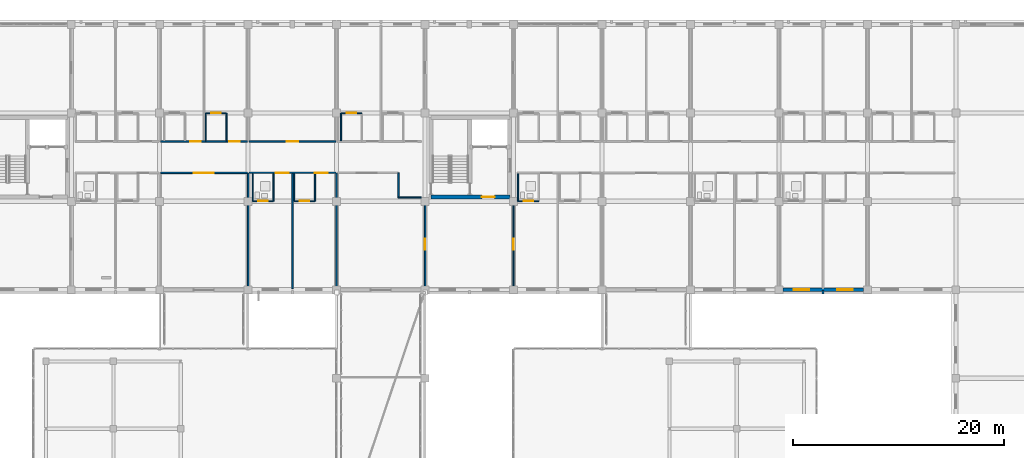
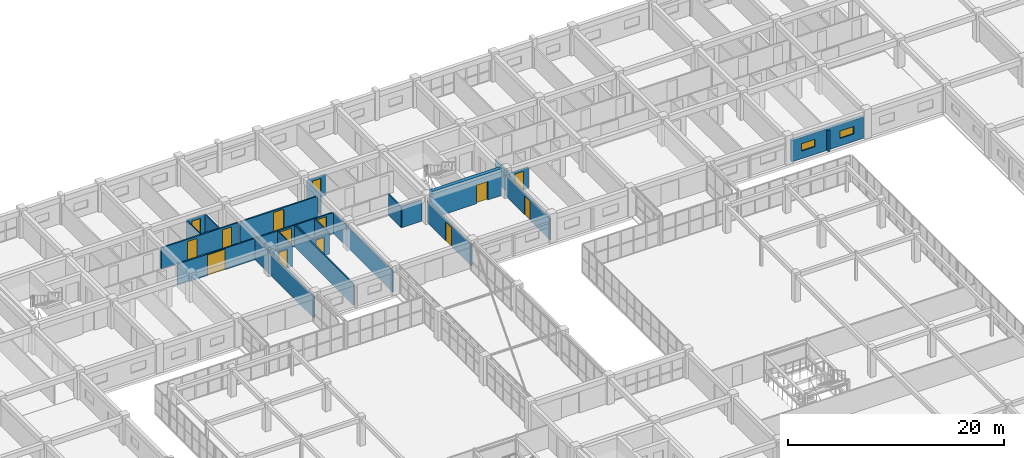
# One storey, part 177 of 200: 27 walls, 14 doors, 2 windows, 16 openings.
"""IFC4 building model written with IfcOpenShell, lengths in metres."""

from ifc_helpers import new_model, si_unit, direction, frame, frame_2d, origin, place, context, subcontext, project, spatial, rectangle, extrude, material, layer, layer_set, type_object, element, fill, save


model = new_model("IFC4")

# Units and contexts
model_context = context("Model", 3, precision=1e-05, world=origin(), true_north=direction((0.0, 1.0)))
body_context = subcontext(model_context, "Body", "Model", "MODEL_VIEW")
ifc_project = project(units=[si_unit("LENGTHUNIT", "METRE"), si_unit("AREAUNIT", "SQUARE_METRE"), si_unit("VOLUMEUNIT", "CUBIC_METRE"), si_unit("PLANEANGLEUNIT", "RADIAN"), si_unit("MASSUNIT", "GRAM", prefix="KILO")], contexts=[model_context])

# Site, building, storey
site_placement = place(None, origin())
site = spatial("IfcSite", under=ifc_project, at=site_placement, CompositionType="ELEMENT")
building_placement = place(site_placement, origin())
building = spatial("IfcBuilding", under=site, at=building_placement, Name="Trelvath General Hospital", CompositionType="ELEMENT")
storey_placement = place(building_placement, frame((0.0, 0.0, 4.800048828125)))
storey = spatial("IfcBuildingStorey", under=building, at=storey_placement, Name="L01", CompositionType="ELEMENT", Elevation=4.800048828125)

# Wall
ifc_material_1 = material(Name="Precast concrete C40/50", Category="concrete")
ifc_layer_1 = layer(ifc_material_1, 0.199951171875)
ifc_layer_set_1 = layer_set([ifc_layer_1], Name="Precast concrete C40/50")
wall_type_1 = type_object("IfcWallType", Name="BriseSoleilRib 200", PredefinedType="ELEMENTEDWALL", material=ifc_layer_set_1)
wall_1_placement = place(storey_placement, frame((121.800048828125, 92.324951171875, 0.0), z_axis=(0.0, 0.0, 1.0), x_axis=(0.0, -1.0, 0.0)))
element("IfcWall", 1, at=wall_1_placement, inside=storey, type_object=wall_type_1, Name="Precast Concrete Brise-Soleil Rib Fin L01-125", PredefinedType="ELEMENTEDWALL", context=body_context, shape_type="SweptSolid", body=[
    extrude(rectangle(XDim=0.33984375, YDim=0.199951171875, at=frame_2d((0.169921875, 0.0))), origin(), (0.0, 0.0, 1.0), 2.39990234375),
])

# Wall, opening, door
ifc_material_2 = material(Name="Gypsum acoustic steel-stud partition", Category="steel")
ifc_layer_2 = layer(ifc_material_2, 0.14990234375)
ifc_layer_set_2 = layer_set([ifc_layer_2], Name="Gypsum acoustic steel-stud partition")
wall_type_2 = type_object("IfcWallType", Name="ClinicalPartition 150", PredefinedType="PARTITIONING", material=ifc_layer_set_2)
wall_2_placement = place(storey_placement, frame((58.8798828125, 103.5, 0.0), z_axis=(0.0, 0.0, 1.0), x_axis=(1.0, 0.0, 0.0)))
wall_2 = element("IfcWall", 2, at=wall_2_placement, inside=storey, type_object=wall_type_2, Name="Corridor Partition L01-558", PredefinedType="PARTITIONING", context=body_context, shape_type="SweptSolid", body=[
    extrude(rectangle(XDim=8.240234375, YDim=0.14990234375, at=frame_2d((4.1201171875, 0.0))), origin(), (0.0, 0.0, 1.0), 2.39990234375),
])
opening_1_placement = place(wall_2_placement, frame((3.169921875, 0.0, 0.0)))
opening_1 = element("IfcOpeningElement", 3, at=opening_1_placement, cuts=wall_2, Name="Opening D-1-0562", PredefinedType="OPENING", context=body_context, shape_type="SweptSolid", body=[
    extrude(rectangle(XDim=1.89990234375, YDim=2.300048828125, at=frame_2d((0.949951171875, 1.14990234375))), frame((0.0, 0.0849609375, 0.0), z_axis=(0.0, -1.0, 0.0), x_axis=(1.0, 0.0, 0.0)), (0.0, 0.0, 1.0), 0.169921875),
])
ifc_material_3 = material(Name="Thermally broken glazed aluminium pair", Category="aluminium")
door_type_1 = type_object("IfcDoorType", Name="Door BridgeEntry 1900x2400", OperationType="DOUBLE_SWING_LEFT", PredefinedType="DOOR", material=ifc_material_3)
door_1_placement = place(opening_1_placement, origin())
door_1 = element("IfcDoor", 4, at=door_1_placement, inside=storey, type_object=door_type_1, Name="Bridge Lounge Corridor Door L01-562", OperationType="DOUBLE_SWING_LEFT", OverallHeight=2.300048828125, OverallWidth=1.89990234375, PredefinedType="DOOR", context=body_context, shape_type="SweptSolid", body=[
    extrude(rectangle(XDim=1.89990234375, YDim=2.300048828125, at=frame_2d((0.949951171875, 1.14990234375))), frame((0.0, 0.02490234375, 0.0), z_axis=(0.0, -1.0, 0.0), x_axis=(1.0, 0.0, 0.0)), (0.0, 0.0, 1.0), 0.050048828125),
])
fill(opening_1, door_1)

# Wall, openings, doors
wall_3_placement = place(storey_placement, frame((67.1201171875, 106.5, 0.0), z_axis=(0.0, 0.0, 1.0), x_axis=(-1.0, 0.0, 0.0)))
wall_3 = element("IfcWall", 5, at=wall_3_placement, inside=storey, type_object=wall_type_2, Name="Corridor Partition N L01-559", PredefinedType="PARTITIONING", context=body_context, shape_type="SweptSolid", body=[
    extrude(rectangle(XDim=8.240234375, YDim=0.14990234375, at=frame_2d((4.1201171875, 0.0))), origin(), (0.0, 0.0, 1.0), 2.39990234375),
])
opening_2_placement = place(wall_3_placement, frame((0.72998046875, 0.0, 0.0)))
opening_2 = element("IfcOpeningElement", 6, at=opening_2_placement, cuts=wall_3, Name="Opening D-1-0563", PredefinedType="OPENING", context=body_context, shape_type="SweptSolid", body=[
    extrude(rectangle(XDim=1.0, YDim=2.14990234375, at=frame_2d((0.5, 1.074951171875))), frame((0.0, 0.0849609375, 0.0), z_axis=(0.0, -1.0, 0.0), x_axis=(1.0, 0.0, 0.0)), (0.0, 0.0, 1.0), 0.169921875),
])
opening_3_placement = place(wall_3_placement, frame((4.429931640625, 0.0, 0.0)))
opening_3 = element("IfcOpeningElement", 7, at=opening_3_placement, cuts=wall_3, Name="Opening D-1-0564", PredefinedType="OPENING", context=body_context, shape_type="SweptSolid", body=[
    extrude(rectangle(XDim=1.0, YDim=2.14990234375, at=frame_2d((0.5, 1.074951171875))), frame((0.0, 0.0849609375, 0.0), z_axis=(0.0, -1.0, 0.0), x_axis=(1.0, 0.0, 0.0)), (0.0, 0.0, 1.0), 0.169921875),
])
ifc_material_4 = material(Name="Acoustic hospital timber leaf", Category="wood")
door_type_2 = type_object("IfcDoorType", Name="Door Consult 1000x2150", OperationType="NOTDEFINED", PredefinedType="DOOR", material=ifc_material_4)
door_2_placement = place(opening_2_placement, origin())
door_2 = element("IfcDoor", 8, at=door_2_placement, inside=storey, type_object=door_type_2, Name="Patient Room Door N L01-563", OperationType="SINGLE_SWING_LEFT", OverallHeight=2.14990234375, OverallWidth=1.0, PredefinedType="DOOR", context=body_context, shape_type="SweptSolid", body=[
    extrude(rectangle(XDim=1.0, YDim=2.14990234375, at=frame_2d((0.5, 1.074951171875))), frame((0.0, 0.02490234375, 0.0), z_axis=(0.0, -1.0, 0.0), x_axis=(1.0, 0.0, 0.0)), (0.0, 0.0, 1.0), 0.050048828125),
])
fill(opening_2, door_2)
door_3_placement = place(opening_3_placement, origin())
door_3 = element("IfcDoor", 9, at=door_3_placement, inside=storey, type_object=door_type_2, Name="Patient Room Door N L01-564", OperationType="SINGLE_SWING_LEFT", OverallHeight=2.14990234375, OverallWidth=1.0, PredefinedType="DOOR", context=body_context, shape_type="SweptSolid", body=[
    extrude(rectangle(XDim=1.0, YDim=2.14990234375, at=frame_2d((0.5, 1.074951171875))), frame((0.0, 0.02490234375, 0.0), z_axis=(0.0, -1.0, 0.0), x_axis=(1.0, 0.0, 0.0)), (0.0, 0.0, 1.0), 0.050048828125),
])
fill(opening_3, door_3)

wall_4_placement = place(storey_placement, frame((67.280029296875, 103.5, 0.0), z_axis=(0.0, 0.0, 1.0), x_axis=(1.0, 0.0, 0.0)))
wall_4 = element("IfcWall", 10, at=wall_4_placement, inside=storey, type_object=wall_type_2, Name="Corridor Partition L01-569", PredefinedType="PARTITIONING", context=body_context, shape_type="SweptSolid", body=[
    extrude(rectangle(XDim=8.239990234375, YDim=0.14990234375, at=frame_2d((4.1201171875, 0.0))), origin(), (0.0, 0.0, 1.0), 2.39990234375),
])
opening_4_placement = place(wall_4_placement, frame((2.530029296875, 0.0, 0.0)))
opening_4 = element("IfcOpeningElement", 11, at=opening_4_placement, cuts=wall_4, Name="Opening D-1-0567", PredefinedType="OPENING", context=body_context, shape_type="SweptSolid", body=[
    extrude(rectangle(XDim=1.25, YDim=2.199951171875, at=frame_2d((0.625, 1.10009765625))), frame((0.0, 0.0849609375, 0.0), z_axis=(0.0, -1.0, 0.0), x_axis=(1.0, 0.0, 0.0)), (0.0, 0.0, 1.0), 0.169921875),
])
opening_5_placement = place(wall_4_placement, frame((6.22998046875, 0.0, 0.0)))
opening_5 = element("IfcOpeningElement", 12, at=opening_5_placement, cuts=wall_4, Name="Opening D-1-0568", PredefinedType="OPENING", context=body_context, shape_type="SweptSolid", body=[
    extrude(rectangle(XDim=1.25, YDim=2.199951171875, at=frame_2d((0.625, 1.10009765625))), frame((0.0, 0.0849609375, 0.0), z_axis=(0.0, -1.0, 0.0), x_axis=(1.0, 0.0, 0.0)), (0.0, 0.0, 1.0), 0.169921875),
])
ifc_material_5 = material(Name="Acoustic hospital timber leaf", Category="wood")
door_type_3 = type_object("IfcDoorType", Name="Door Treatment 1250x2200", OperationType="NOTDEFINED", PredefinedType="DOOR", material=ifc_material_5)
door_4_placement = place(opening_4_placement, origin())
door_4 = element("IfcDoor", 13, at=door_4_placement, inside=storey, type_object=door_type_3, Name="Patient Room Door L01-567", OperationType="SINGLE_SWING_RIGHT", OverallHeight=2.199951171875, OverallWidth=1.25, PredefinedType="DOOR", context=body_context, shape_type="SweptSolid", body=[
    extrude(rectangle(XDim=1.25, YDim=2.199951171875, at=frame_2d((0.625, 1.10009765625))), frame((0.0, 0.02490234375, 0.0), z_axis=(0.0, -1.0, 0.0), x_axis=(1.0, 0.0, 0.0)), (0.0, 0.0, 1.0), 0.050048828125),
])
fill(opening_4, door_4)
door_5_placement = place(opening_5_placement, origin())
door_5 = element("IfcDoor", 14, at=door_5_placement, inside=storey, type_object=door_type_3, Name="Patient Room Door L01-568", OperationType="SINGLE_SWING_LEFT", OverallHeight=2.199951171875, OverallWidth=1.25, PredefinedType="DOOR", context=body_context, shape_type="SweptSolid", body=[
    extrude(rectangle(XDim=1.25, YDim=2.199951171875, at=frame_2d((0.625, 1.10009765625))), frame((0.0, 0.02490234375, 0.0), z_axis=(0.0, -1.0, 0.0), x_axis=(1.0, 0.0, 0.0)), (0.0, 0.0, 1.0), 0.050048828125),
])
fill(opening_5, door_5)

# Wall, opening, door
wall_5_placement = place(storey_placement, frame((75.52001953125, 106.5, 0.0), z_axis=(0.0, 0.0, 1.0), x_axis=(-1.0, 0.0, 0.0)))
wall_5 = element("IfcWall", 15, at=wall_5_placement, inside=storey, type_object=wall_type_2, Name="Corridor Partition N L01-577", PredefinedType="PARTITIONING", context=body_context, shape_type="SweptSolid", body=[
    extrude(rectangle(XDim=8.239990234375, YDim=0.14990234375, at=frame_2d((4.1201171875, 0.0))), origin(), (0.0, 0.0, 1.0), 2.39990234375),
])
opening_6_placement = place(wall_5_placement, frame((3.570068359375, 0.0, 0.0)))
opening_6 = element("IfcOpeningElement", 16, at=opening_6_placement, cuts=wall_5, Name="Opening D-1-0571", PredefinedType="OPENING", context=body_context, shape_type="SweptSolid", body=[
    extrude(rectangle(XDim=1.10009765625, YDim=2.199951171875, at=frame_2d((0.550048828125, 1.10009765625))), frame((0.0, 0.0849609375, 0.0), z_axis=(0.0, -1.0, 0.0), x_axis=(1.0, 0.0, 0.0)), (0.0, 0.0, 1.0), 0.169921875),
])
ifc_material_6 = material(Name="Phenolic laboratory door")
door_type_4 = type_object("IfcDoorType", Name="Door Lab 1100x2200", OperationType="NOTDEFINED", PredefinedType="DOOR", material=ifc_material_6)
door_6_placement = place(opening_6_placement, origin())
door_6 = element("IfcDoor", 17, at=door_6_placement, inside=storey, type_object=door_type_4, Name="Clinical Room Door L01-571", OperationType="SINGLE_SWING_RIGHT", OverallHeight=2.199951171875, OverallWidth=1.10009765625, PredefinedType="DOOR", context=body_context, shape_type="SweptSolid", body=[
    extrude(rectangle(XDim=1.10009765625, YDim=2.199951171875, at=frame_2d((0.550048828125, 1.10009765625))), frame((0.0, 0.02490234375, 0.0), z_axis=(0.0, -1.0, 0.0), x_axis=(1.0, 0.0, 0.0)), (0.0, 0.0, 1.0), 0.050048828125),
])
fill(opening_6, door_6)

ifc_material_7 = material(Name="Concrete C40/50", Category="concrete")
ifc_layer_3 = layer(ifc_material_7, 0.39990234375)
ifc_layer_set_3 = layer_set([ifc_layer_3], Name="Concrete C40/50")
wall_type_3 = type_object("IfcWallType", Name="CoreShearWall 400", PredefinedType="SHEAR", material=ifc_layer_set_3)
wall_6_placement = place(storey_placement, frame((84.550048828125, 101.199951171875, 0.0), z_axis=(0.0, 0.0, 1.0), x_axis=(1.0, 0.0, 0.0)))
wall_6 = element("IfcWall", 18, at=wall_6_placement, inside=storey, type_object=wall_type_3, Name="Core Shear Wall C2 S L01", PredefinedType="SHEAR", context=body_context, shape_type="SweptSolid", body=[
    extrude(rectangle(XDim=7.5, YDim=0.39990234375, at=frame_2d((3.75, 0.0))), origin(), (0.0, 0.0, 1.0), 3.02001953125),
])
opening_7_placement = place(wall_6_placement, frame((4.85009765625, 0.0, 0.0)))
opening_7 = element("IfcOpeningElement", 19, at=opening_7_placement, cuts=wall_6, Name="Opening FD-LS21", PredefinedType="OPENING", context=body_context, shape_type="SweptSolid", body=[
    extrude(rectangle(XDim=1.199951171875, YDim=2.10009765625, at=frame_2d((0.60009765625, 1.050048828125))), frame((0.0, 0.2099609375, 0.0), z_axis=(0.0, -1.0, 0.0), x_axis=(1.0, 0.0, 0.0)), (0.0, 0.0, 1.0), 0.419921875),
])
ifc_material_8 = material(Name="Fire-rated steel door", Category="steel")
door_type_5 = type_object("IfcDoorType", Name="Door FireLobby 1200x2100", OperationType="NOTDEFINED", PredefinedType="DOOR", material=ifc_material_8)
door_7_placement = place(opening_7_placement, origin())
door_7 = element("IfcDoor", 20, at=door_7_placement, inside=storey, type_object=door_type_5, Name="Fire Lobby South Door C2 L01", OperationType="SINGLE_SWING_RIGHT", OverallHeight=2.10009765625, OverallWidth=1.199951171875, PredefinedType="DOOR", context=body_context, shape_type="SweptSolid", body=[
    extrude(rectangle(XDim=1.199951171875, YDim=2.10009765625, at=frame_2d((0.60009765625, 1.050048828125))), frame((0.0, 0.02490234375, 0.0), z_axis=(0.0, -1.0, 0.0), x_axis=(1.0, 0.0, 0.0)), (0.0, 0.0, 1.0), 0.050048828125),
])
fill(opening_7, door_7)

# Walls
ifc_material_9 = material(Name="Moisture-resistant tile partition")
ifc_layer_4 = layer(ifc_material_9, 0.110107421875)
ifc_layer_set_4 = layer_set([ifc_layer_4], Name="Moisture-resistant tile partition")
wall_type_4 = type_object("IfcWallType", Name="EnSuiteWetWall 110", PredefinedType="PARTITIONING", material=ifc_layer_set_4)
for number, where, z_axis, x_axis, name in (
    (21, (63.159912109375, 106.570068359375, 0.0), (0.0, 0.0, 1.0), (0.0, 1.0, 0.0), "En-Suite W Wall N L01-564"),
    (22, (65.139892578125, 106.570068359375, 0.0), (0.0, 0.0, 1.0), (0.0, 1.0, 0.0), "En-Suite E Wall N L01-565"),
):
    element("IfcWall", number, at=place(storey_placement, frame(where, z_axis=z_axis, x_axis=x_axis)), inside=storey, type_object=wall_type_4, Name=name, PredefinedType="PARTITIONING", context=body_context, shape_type="SweptSolid", body=[
        extrude(rectangle(XDim=2.60986328125, YDim=0.110107421875, at=frame_2d((1.304931640625, 0.0))), origin(), (0.0, 0.0, 1.0), 2.39990234375),
    ])

# Wall, opening, door
wall_7_placement = place(storey_placement, frame((63.159912109375, 109.179931640625, 0.0), z_axis=(0.0, 0.0, 1.0), x_axis=(1.0, 0.0, 0.0)))
wall_7 = element("IfcWall", 23, at=wall_7_placement, inside=storey, type_object=wall_type_4, Name="En-Suite Bathroom N Partition L01-566", PredefinedType="PARTITIONING", context=body_context, shape_type="SweptSolid", body=[
    extrude(rectangle(XDim=1.97998046875, YDim=0.110107421875, at=frame_2d((0.989990234375, 0.0))), origin(), (0.0, 0.0, 1.0), 2.39990234375),
])
opening_8_placement = place(wall_7_placement, frame((0.5400390625, 0.0, 0.0)))
opening_8 = element("IfcOpeningElement", 24, at=opening_8_placement, cuts=wall_7, Name="Opening D-1-0566", PredefinedType="OPENING", context=body_context, shape_type="SweptSolid", body=[
    extrude(rectangle(XDim=0.89990234375, YDim=2.10009765625, at=frame_2d((0.449951171875, 1.050048828125))), frame((0.0, 0.06494140625, 0.0), z_axis=(0.0, -1.0, 0.0), x_axis=(1.0, 0.0, 0.0)), (0.0, 0.0, 1.0), 0.130126953125),
])
ifc_material_10 = material(Name="Moisture-sealed timber leaf", Category="wood")
door_type_6 = type_object("IfcDoorType", Name="Door EnSuite 900x2100", OperationType="NOTDEFINED", PredefinedType="DOOR", material=ifc_material_10)
door_8_placement = place(opening_8_placement, origin())
door_8 = element("IfcDoor", 25, at=door_8_placement, inside=storey, type_object=door_type_6, Name="En-Suite Bathroom N Door L01-566", OperationType="SINGLE_SWING_LEFT", OverallHeight=2.10009765625, OverallWidth=0.89990234375, PredefinedType="DOOR", context=body_context, shape_type="SweptSolid", body=[
    extrude(rectangle(XDim=0.89990234375, YDim=2.10009765625, at=frame_2d((0.449951171875, 1.050048828125))), frame((0.0, 0.02490234375, 0.0), z_axis=(0.0, -1.0, 0.0), x_axis=(1.0, 0.0, 0.0)), (0.0, 0.0, 1.0), 0.050048828125),
])
fill(opening_8, door_8)

# Walls
for number, where, z_axis, x_axis, name in (
    (26, (67.6201171875, 100.820068359375, 0.0), (0.0, 0.0, 1.0), (0.0, 1.0, 0.0), "En-Suite W Wall L01-571"),
    (27, (69.60009765625, 100.820068359375, 0.0), (0.0, 0.0, 1.0), (0.0, 1.0, 0.0), "En-Suite E Wall L01-572"),
):
    element("IfcWall", number, at=place(storey_placement, frame(where, z_axis=z_axis, x_axis=x_axis)), inside=storey, type_object=wall_type_4, Name=name, PredefinedType="PARTITIONING", context=body_context, shape_type="SweptSolid", body=[
        extrude(rectangle(XDim=2.60986328125, YDim=0.110107421875, at=frame_2d((1.304931640625, 0.0))), origin(), (0.0, 0.0, 1.0), 2.39990234375),
    ])

# Wall, opening, door
wall_8_placement = place(storey_placement, frame((67.6201171875, 100.820068359375, 0.0), z_axis=(0.0, 0.0, 1.0), x_axis=(1.0, 0.0, 0.0)))
wall_8 = element("IfcWall", 28, at=wall_8_placement, inside=storey, type_object=wall_type_4, Name="En-Suite Bathroom Partition L01-573", PredefinedType="PARTITIONING", context=body_context, shape_type="SweptSolid", body=[
    extrude(rectangle(XDim=1.97998046875, YDim=0.110107421875, at=frame_2d((0.989990234375, 0.0))), origin(), (0.0, 0.0, 1.0), 2.39990234375),
])
opening_9_placement = place(wall_8_placement, frame((0.5400390625, 0.0, 0.0)))
opening_9 = element("IfcOpeningElement", 29, at=opening_9_placement, cuts=wall_8, Name="Opening D-1-0569", PredefinedType="OPENING", context=body_context, shape_type="SweptSolid", body=[
    extrude(rectangle(XDim=0.89990234375, YDim=2.10009765625, at=frame_2d((0.449951171875, 1.050048828125))), frame((0.0, 0.06494140625, 0.0), z_axis=(0.0, -1.0, 0.0), x_axis=(1.0, 0.0, 0.0)), (0.0, 0.0, 1.0), 0.130126953125),
])
door_9_placement = place(opening_9_placement, origin())
door_9 = element("IfcDoor", 30, at=door_9_placement, inside=storey, type_object=door_type_6, Name="En-Suite Bathroom Door L01-569", OperationType="SINGLE_SWING_RIGHT", OverallHeight=2.10009765625, OverallWidth=0.89990234375, PredefinedType="DOOR", context=body_context, shape_type="SweptSolid", body=[
    extrude(rectangle(XDim=0.89990234375, YDim=2.10009765625, at=frame_2d((0.449951171875, 1.050048828125))), frame((0.0, 0.02490234375, 0.0), z_axis=(0.0, -1.0, 0.0), x_axis=(1.0, 0.0, 0.0)), (0.0, 0.0, 1.0), 0.050048828125),
])
fill(opening_9, door_9)

# Walls
for number, where, z_axis, x_axis, name in (
    (31, (71.56005859375, 100.820068359375, 0.0), (0.0, 0.0, 1.0), (0.0, 1.0, 0.0), "En-Suite W Wall L01-574"),
    (32, (73.5400390625, 100.820068359375, 0.0), (0.0, 0.0, 1.0), (0.0, 1.0, 0.0), "En-Suite E Wall L01-575"),
):
    element("IfcWall", number, at=place(storey_placement, frame(where, z_axis=z_axis, x_axis=x_axis)), inside=storey, type_object=wall_type_4, Name=name, PredefinedType="PARTITIONING", context=body_context, shape_type="SweptSolid", body=[
        extrude(rectangle(XDim=2.60986328125, YDim=0.110107421875, at=frame_2d((1.304931640625, 0.0))), origin(), (0.0, 0.0, 1.0), 2.39990234375),
    ])

# Wall, opening, door
wall_9_placement = place(storey_placement, frame((71.56005859375, 100.820068359375, 0.0), z_axis=(0.0, 0.0, 1.0), x_axis=(1.0, 0.0, 0.0)))
wall_9 = element("IfcWall", 33, at=wall_9_placement, inside=storey, type_object=wall_type_4, Name="En-Suite Bathroom Partition L01-576", PredefinedType="PARTITIONING", context=body_context, shape_type="SweptSolid", body=[
    extrude(rectangle(XDim=1.97998046875, YDim=0.110107421875, at=frame_2d((0.989990234375, 0.0))), origin(), (0.0, 0.0, 1.0), 2.39990234375),
])
opening_10_placement = place(wall_9_placement, frame((0.5400390625, 0.0, 0.0)))
opening_10 = element("IfcOpeningElement", 34, at=opening_10_placement, cuts=wall_9, Name="Opening D-1-0570", PredefinedType="OPENING", context=body_context, shape_type="SweptSolid", body=[
    extrude(rectangle(XDim=0.89990234375, YDim=2.10009765625, at=frame_2d((0.449951171875, 1.050048828125))), frame((0.0, 0.06494140625, 0.0), z_axis=(0.0, -1.0, 0.0), x_axis=(1.0, 0.0, 0.0)), (0.0, 0.0, 1.0), 0.130126953125),
])
door_10_placement = place(opening_10_placement, origin())
door_10 = element("IfcDoor", 35, at=door_10_placement, inside=storey, type_object=door_type_6, Name="En-Suite Bathroom Door L01-570", OperationType="SINGLE_SWING_LEFT", OverallHeight=2.10009765625, OverallWidth=0.89990234375, PredefinedType="DOOR", context=body_context, shape_type="SweptSolid", body=[
    extrude(rectangle(XDim=0.89990234375, YDim=2.10009765625, at=frame_2d((0.449951171875, 1.050048828125))), frame((0.0, 0.02490234375, 0.0), z_axis=(0.0, -1.0, 0.0), x_axis=(1.0, 0.0, 0.0)), (0.0, 0.0, 1.0), 0.050048828125),
])
fill(opening_10, door_10)

# Wall
wall_10_placement = place(storey_placement, frame((76.02001953125, 106.570068359375, 0.0), z_axis=(0.0, 0.0, 1.0), x_axis=(0.0, 1.0, 0.0)))
element("IfcWall", 36, at=wall_10_placement, inside=storey, type_object=wall_type_4, Name="En-Suite W Wall N L01-585", PredefinedType="PARTITIONING", context=body_context, shape_type="SweptSolid", body=[
    extrude(rectangle(XDim=2.60986328125, YDim=0.110107421875, at=frame_2d((1.304931640625, 0.0))), origin(), (0.0, 0.0, 1.0), 2.39990234375),
])

# Wall, opening, door
wall_11_placement = place(storey_placement, frame((76.02001953125, 109.179931640625, 0.0), z_axis=(0.0, 0.0, 1.0), x_axis=(1.0, 0.0, 0.0)))
wall_11 = element("IfcWall", 37, at=wall_11_placement, inside=storey, type_object=wall_type_4, Name="En-Suite Bathroom N Partition L01-587", PredefinedType="PARTITIONING", context=body_context, shape_type="SweptSolid", body=[
    extrude(rectangle(XDim=1.97998046875, YDim=0.110107421875, at=frame_2d((0.989990234375, 0.0))), origin(), (0.0, 0.0, 1.0), 2.39990234375),
])
opening_11_placement = place(wall_11_placement, frame((0.5400390625, 0.0, 0.0)))
opening_11 = element("IfcOpeningElement", 38, at=opening_11_placement, cuts=wall_11, Name="Opening D-1-0575", PredefinedType="OPENING", context=body_context, shape_type="SweptSolid", body=[
    extrude(rectangle(XDim=0.89990234375, YDim=2.10009765625, at=frame_2d((0.449951171875, 1.050048828125))), frame((0.0, 0.06494140625, 0.0), z_axis=(0.0, -1.0, 0.0), x_axis=(1.0, 0.0, 0.0)), (0.0, 0.0, 1.0), 0.130126953125),
])
door_11_placement = place(opening_11_placement, origin())
door_11 = element("IfcDoor", 39, at=door_11_placement, inside=storey, type_object=door_type_6, Name="En-Suite Bathroom N Door L01-575", OperationType="SINGLE_SWING_RIGHT", OverallHeight=2.10009765625, OverallWidth=0.89990234375, PredefinedType="DOOR", context=body_context, shape_type="SweptSolid", body=[
    extrude(rectangle(XDim=0.89990234375, YDim=2.10009765625, at=frame_2d((0.449951171875, 1.050048828125))), frame((0.0, 0.02490234375, 0.0), z_axis=(0.0, -1.0, 0.0), x_axis=(1.0, 0.0, 0.0)), (0.0, 0.0, 1.0), 0.050048828125),
])
fill(opening_11, door_11)

# Wall
wall_12_placement = place(storey_placement, frame((92.820068359375, 100.820068359375, 0.0), z_axis=(0.0, 0.0, 1.0), x_axis=(0.0, 1.0, 0.0)))
element("IfcWall", 40, at=wall_12_placement, inside=storey, type_object=wall_type_4, Name="En-Suite W Wall L01-597", PredefinedType="PARTITIONING", context=body_context, shape_type="SweptSolid", body=[
    extrude(rectangle(XDim=2.60986328125, YDim=0.110107421875, at=frame_2d((1.304931640625, 0.0))), origin(), (0.0, 0.0, 1.0), 2.39990234375),
])

# Wall, opening, door
wall_13_placement = place(storey_placement, frame((92.820068359375, 100.820068359375, 0.0), z_axis=(0.0, 0.0, 1.0), x_axis=(1.0, 0.0, 0.0)))
wall_13 = element("IfcWall", 41, at=wall_13_placement, inside=storey, type_object=wall_type_4, Name="En-Suite Bathroom Partition L01-599", PredefinedType="PARTITIONING", context=body_context, shape_type="SweptSolid", body=[
    extrude(rectangle(XDim=1.97998046875, YDim=0.110107421875, at=frame_2d((0.989990234375, 0.0))), origin(), (0.0, 0.0, 1.0), 2.39990234375),
])
opening_12_placement = place(wall_13_placement, frame((0.5400390625, 0.0, 0.0)))
opening_12 = element("IfcOpeningElement", 42, at=opening_12_placement, cuts=wall_13, Name="Opening D-1-0583", PredefinedType="OPENING", context=body_context, shape_type="SweptSolid", body=[
    extrude(rectangle(XDim=0.89990234375, YDim=2.10009765625, at=frame_2d((0.449951171875, 1.050048828125))), frame((0.0, 0.06494140625, 0.0), z_axis=(0.0, -1.0, 0.0), x_axis=(1.0, 0.0, 0.0)), (0.0, 0.0, 1.0), 0.130126953125),
])
door_12_placement = place(opening_12_placement, origin())
door_12 = element("IfcDoor", 43, at=door_12_placement, inside=storey, type_object=door_type_6, Name="En-Suite Bathroom Door L01-583", OperationType="SINGLE_SWING_RIGHT", OverallHeight=2.10009765625, OverallWidth=0.89990234375, PredefinedType="DOOR", context=body_context, shape_type="SweptSolid", body=[
    extrude(rectangle(XDim=0.89990234375, YDim=2.10009765625, at=frame_2d((0.449951171875, 1.050048828125))), frame((0.0, 0.02490234375, 0.0), z_axis=(0.0, -1.0, 0.0), x_axis=(1.0, 0.0, 0.0)), (0.0, 0.0, 1.0), 0.050048828125),
])
fill(opening_12, door_12)

# Wall, openings, windows
ifc_material_11 = material(Name="Concrete C35/45", Category="concrete")
ifc_layer_5 = layer(ifc_material_11, 0.2900390625)
ifc_layer_set_5 = layer_set([ifc_layer_5], Name="Concrete C35/45")
wall_type_5 = type_object("IfcWallType", Name="ExtBushHammeredWall 290", PredefinedType="SOLIDWALL", material=ifc_layer_set_5)
wall_14_placement = place(storey_placement, frame((125.6298828125, 92.39990234375, 0.0), z_axis=(0.0, 0.0, 1.0), x_axis=(-1.0, 0.0, 0.0)))
wall_14 = element("IfcWall", 44, at=wall_14_placement, inside=storey, type_object=wall_type_5, Name="Exterior Concrete Wall L01-182", PredefinedType="SOLIDWALL", context=body_context, shape_type="SweptSolid", body=[
    extrude(rectangle(XDim=7.659912109375, YDim=0.2900390625, at=frame_2d((3.830078125, 0.0))), origin(), (0.0, 0.0, 1.0), 2.419921875),
])
opening_13_placement = place(wall_14_placement, frame((1.03173828125, 0.0, 0.85009765625)))
opening_13 = element("IfcOpeningElement", 45, at=opening_13_placement, cuts=wall_14, Name="Opening WN-1-265", PredefinedType="OPENING", context=body_context, shape_type="SweptSolid", body=[
    extrude(rectangle(XDim=1.4599609375, YDim=0.85009765625, at=frame_2d((0.72998046875, 0.425048828125))), frame((0.0, 0.155029296875, 0.0), z_axis=(0.0, -1.0, 0.0), x_axis=(1.0, 0.0, 0.0)), (0.0, 0.0, 1.0), 0.31005859375),
])
opening_14_placement = place(wall_14_placement, frame((5.168212890625, 0.0, 0.85009765625)))
opening_14 = element("IfcOpeningElement", 46, at=opening_14_placement, cuts=wall_14, Name="Opening WN-1-266", PredefinedType="OPENING", context=body_context, shape_type="SweptSolid", body=[
    extrude(rectangle(XDim=1.4599609375, YDim=0.85009765625, at=frame_2d((0.72998046875, 0.425048828125))), frame((0.0, 0.155029296875, 0.0), z_axis=(0.0, -1.0, 0.0), x_axis=(1.0, 0.0, 0.0)), (0.0, 0.0, 1.0), 0.31005859375),
])
ifc_material_12 = material(Name="Low-E laminated glass", Category="glass")
window_type = type_object("IfcWindowType", Name="Window ImagingClere 1460x850", PartitioningType="DOUBLE_PANEL_VERTICAL", PredefinedType="WINDOW", material=ifc_material_12)
window_1_placement = place(opening_13_placement, origin())
window_1 = element("IfcWindow", 47, at=window_1_placement, inside=storey, type_object=window_type, Name="Solar Reveal Window L01-265", OverallHeight=0.85009765625, OverallWidth=1.4599609375, PartitioningType="SINGLE_PANEL", PredefinedType="WINDOW", context=body_context, shape_type="SweptSolid", body=[
    extrude(rectangle(XDim=1.4599609375, YDim=0.85009765625, at=frame_2d((0.72998046875, 0.425048828125))), frame((0.0, 0.030029296875, 0.0), z_axis=(0.0, -1.0, 0.0), x_axis=(1.0, 0.0, 0.0)), (0.0, 0.0, 1.0), 0.06005859375),
])
fill(opening_13, window_1)
window_2_placement = place(opening_14_placement, origin())
window_2 = element("IfcWindow", 48, at=window_2_placement, inside=storey, type_object=window_type, Name="Solar Reveal Window L01-266", OverallHeight=0.85009765625, OverallWidth=1.4599609375, PartitioningType="SINGLE_PANEL", PredefinedType="WINDOW", context=body_context, shape_type="SweptSolid", body=[
    extrude(rectangle(XDim=1.4599609375, YDim=0.85009765625, at=frame_2d((0.72998046875, 0.425048828125))), frame((0.0, 0.030029296875, 0.0), z_axis=(0.0, -1.0, 0.0), x_axis=(1.0, 0.0, 0.0)), (0.0, 0.0, 1.0), 0.06005859375),
])
fill(opening_14, window_2)

# Walls
ifc_material_13 = material(Name="Gypsum acoustic steel-stud partition", Category="steel")
ifc_layer_6 = layer(ifc_material_13, 0.1298828125)
ifc_layer_set_6 = layer_set([ifc_layer_6], Name="Gypsum acoustic steel-stud partition")
wall_type_6 = type_object("IfcWallType", Name="WardPartition 130", PredefinedType="PARTITIONING", material=ifc_layer_set_6)
wall_15_placement = place(storey_placement, frame((67.199951171875, 92.5400390625, 0.0), z_axis=(0.0, 0.0, 1.0), x_axis=(0.0, 1.0, 0.0)))
element("IfcWall", 49, at=wall_15_placement, inside=storey, type_object=wall_type_6, Name="Inter-Bay Ward Partition S L01-567", PredefinedType="PARTITIONING", context=body_context, shape_type="SweptSolid", body=[
    extrude(rectangle(XDim=10.93994140625, YDim=0.1298828125, at=frame_2d((5.469970703125, 0.0))), origin(), (0.0, 0.0, 1.0), 2.39990234375),
])
wall_16_placement = place(storey_placement, frame((71.39990234375, 92.5, 0.0), z_axis=(0.0, 0.0, 1.0), x_axis=(0.0, 1.0, 0.0)))
element("IfcWall", 50, at=wall_16_placement, inside=storey, type_object=wall_type_6, Name="Room Dividing Partition S L01-570", PredefinedType="PARTITIONING", context=body_context, shape_type="SweptSolid", body=[
    extrude(rectangle(XDim=10.929931640625, YDim=0.1298828125, at=frame_2d((5.46484375, 0.0))), origin(), (0.0, 0.0, 1.0), 2.39990234375),
])
wall_17_placement = place(storey_placement, frame((75.60009765625, 92.5400390625, 0.0), z_axis=(0.0, 0.0, 1.0), x_axis=(0.0, 1.0, 0.0)))
element("IfcWall", 51, at=wall_17_placement, inside=storey, type_object=wall_type_6, Name="Inter-Bay Ward Partition S L01-578", PredefinedType="PARTITIONING", context=body_context, shape_type="SweptSolid", body=[
    extrude(rectangle(XDim=10.93994140625, YDim=0.1298828125, at=frame_2d((5.469970703125, 0.0))), origin(), (0.0, 0.0, 1.0), 2.39990234375),
])
wall_18_placement = place(storey_placement, frame((81.4599609375, 101.159912109375, 0.0), z_axis=(0.0, 0.0, 1.0), x_axis=(0.0, 1.0, 0.0)))
element("IfcWall", 52, at=wall_18_placement, inside=storey, type_object=wall_type_6, Name="Nurse Alcove Partition L01-581", PredefinedType="PARTITIONING", context=body_context, shape_type="SweptSolid", body=[
    extrude(rectangle(XDim=2.340087890625, YDim=0.1298828125, at=frame_2d((1.169921875, 0.0))), origin(), (0.0, 0.0, 1.0), 2.39990234375),
])
wall_19_placement = place(storey_placement, frame((81.4599609375, 101.159912109375, 0.0), z_axis=(0.0, 0.0, 1.0), x_axis=(1.0, 0.0, 0.0)))
element("IfcWall", 53, at=wall_19_placement, inside=storey, type_object=wall_type_6, Name="Bridge Alcove Return L01-582", PredefinedType="PARTITIONING", context=body_context, shape_type="SweptSolid", body=[
    extrude(rectangle(XDim=2.179931640625, YDim=0.1298828125, at=frame_2d((1.08984375, 0.0))), origin(), (0.0, 0.0, 1.0), 2.39990234375),
])

# Wall, opening, door
wall_20_placement = place(storey_placement, frame((84.0, 92.5400390625, 0.0), z_axis=(0.0, 0.0, 1.0), x_axis=(0.0, 1.0, 0.0)))
wall_20 = element("IfcWall", 54, at=wall_20_placement, inside=storey, type_object=wall_type_6, Name="Inter-Bay Ward Partition S L01-591", PredefinedType="PARTITIONING", context=body_context, shape_type="SweptSolid", body=[
    extrude(rectangle(XDim=8.2099609375, YDim=0.1298828125, at=frame_2d((4.10498046875, 0.0))), origin(), (0.0, 0.0, 1.0), 2.39990234375),
])
opening_15_placement = place(wall_20_placement, frame((3.639892578125, 0.0, 0.0)))
opening_15 = element("IfcOpeningElement", 55, at=opening_15_placement, cuts=wall_20, Name="Opening D-1-0577", PredefinedType="OPENING", context=body_context, shape_type="SweptSolid", body=[
    extrude(rectangle(XDim=1.080078125, YDim=2.14990234375, at=frame_2d((0.5400390625, 1.074951171875))), frame((0.0, 0.074951171875, 0.0), z_axis=(0.0, -1.0, 0.0), x_axis=(1.0, 0.0, 0.0)), (0.0, 0.0, 1.0), 0.14990234375),
])
ifc_material_14 = material(Name="Acoustic hospital timber leaf", Category="wood")
door_type_7 = type_object("IfcDoorType", Name="Door CleanSupply 1080x2150", OperationType="NOTDEFINED", PredefinedType="DOOR", material=ifc_material_14)
door_13_placement = place(opening_15_placement, origin())
door_13 = element("IfcDoor", 56, at=door_13_placement, inside=storey, type_object=door_type_7, Name="Clean Supply Connecting Door L01-577", OperationType="SINGLE_SWING_RIGHT", OverallHeight=2.14990234375, OverallWidth=1.080078125, PredefinedType="DOOR", context=body_context, shape_type="SweptSolid", body=[
    extrude(rectangle(XDim=1.080078125, YDim=2.14990234375, at=frame_2d((0.5400390625, 1.074951171875))), frame((0.0, 0.02490234375, 0.0), z_axis=(0.0, -1.0, 0.0), x_axis=(1.0, 0.0, 0.0)), (0.0, 0.0, 1.0), 0.050048828125),
])
fill(opening_15, door_13)

wall_21_placement = place(storey_placement, frame((92.39990234375, 92.5400390625, 0.0), z_axis=(0.0, 0.0, 1.0), x_axis=(0.0, 1.0, 0.0)))
wall_21 = element("IfcWall", 57, at=wall_21_placement, inside=storey, type_object=wall_type_6, Name="Inter-Bay Ward Partition S L01-593", PredefinedType="PARTITIONING", context=body_context, shape_type="SweptSolid", body=[
    extrude(rectangle(XDim=8.2099609375, YDim=0.1298828125, at=frame_2d((4.10498046875, 0.0))), origin(), (0.0, 0.0, 1.0), 2.39990234375),
])
opening_16_placement = place(wall_21_placement, frame((3.639892578125, 0.0, 0.0)))
opening_16 = element("IfcOpeningElement", 58, at=opening_16_placement, cuts=wall_21, Name="Opening D-1-0579", PredefinedType="OPENING", context=body_context, shape_type="SweptSolid", body=[
    extrude(rectangle(XDim=1.080078125, YDim=2.14990234375, at=frame_2d((0.5400390625, 1.074951171875))), frame((0.0, 0.074951171875, 0.0), z_axis=(0.0, -1.0, 0.0), x_axis=(1.0, 0.0, 0.0)), (0.0, 0.0, 1.0), 0.14990234375),
])
door_14_placement = place(opening_16_placement, origin())
door_14 = element("IfcDoor", 59, at=door_14_placement, inside=storey, type_object=door_type_7, Name="Clean Supply Connecting Door L01-579", OperationType="SINGLE_SWING_RIGHT", OverallHeight=2.14990234375, OverallWidth=1.080078125, PredefinedType="DOOR", context=body_context, shape_type="SweptSolid", body=[
    extrude(rectangle(XDim=1.080078125, YDim=2.14990234375, at=frame_2d((0.5400390625, 1.074951171875))), frame((0.0, 0.02490234375, 0.0), z_axis=(0.0, -1.0, 0.0), x_axis=(1.0, 0.0, 0.0)), (0.0, 0.0, 1.0), 0.050048828125),
])
fill(opening_16, door_14)

save(model, "model.ifc")
